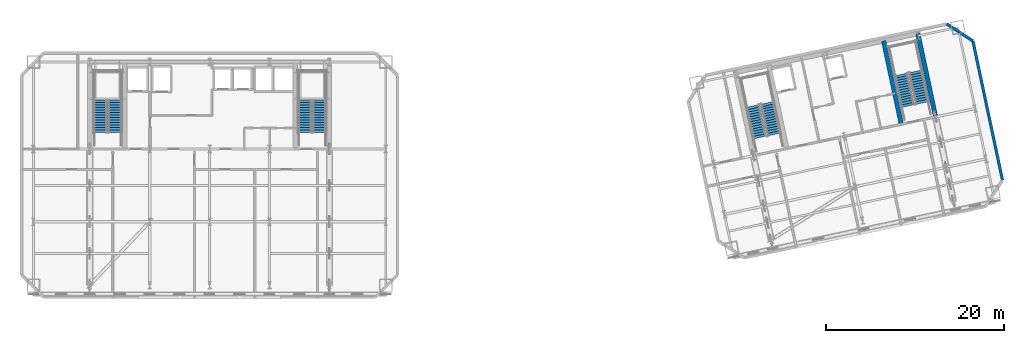
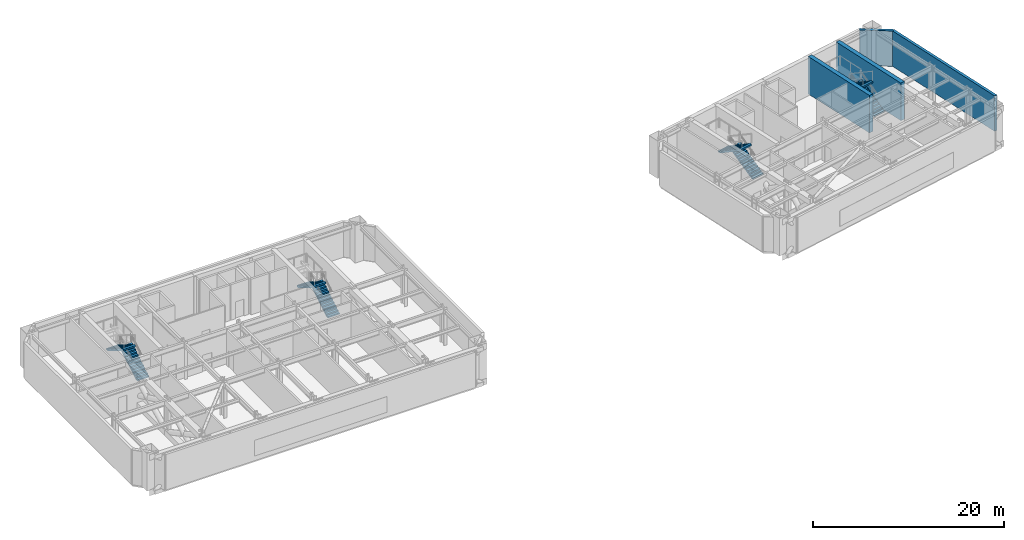
# One storey, part 11 of 15: 8 stair flights, 4 walls, 4 elements without a shape of their own.
"""IFC4 building model written with IfcOpenShell, lengths in metres."""

import ifcopenshell
import ifcopenshell.guid

model = None  # the IFC model being written
_history = None  # IfcOwnerHistory: only IFC2X3 demands one
_inside = {}  # id of a spatial element -> (the spatial element, [elements in it])
_under = {}  # id of a project, library or spatial element -> (it, [spatial elements below it])
_declared = {}  # id of a project -> (the project, [libraries it declares])
_typed = {}  # id of a type object -> (the type object, [elements of that type])
_made_of = {}  # id of a material, layer set ... -> (it, [elements and type objects made of it])


def new_model(schema):
    """Start an empty IFC model of exactly this schema.

    Asked for "IFC4X3", IfcOpenShell would pick the latest addendum, in which some entities
    have other attributes; the version numbers below select the first issue.
    IFC2X3 requires an IfcOwnerHistory on every rooted entity: one is made here for all.
    """
    global model, _history
    if schema == "IFC4X3":
        model = ifcopenshell.file(schema_version=(4, 3, 0, 0))
    else:
        model = ifcopenshell.file(schema=schema)
    _inside.clear()
    _under.clear()
    _declared.clear()
    _typed.clear()
    _made_of.clear()
    _history = None
    if model.schema == "IFC2X3":
        org = make("IfcOrganization", Name="unknown")
        user = make(
            "IfcPersonAndOrganization",
            ThePerson=make("IfcPerson", FamilyName="unknown"),
            TheOrganization=org,
        )
        app = make(
            "IfcApplication",
            ApplicationDeveloper=org,
            Version="unknown",
            ApplicationFullName="unknown",
            ApplicationIdentifier="unknown",
        )
        _history = make(
            "IfcOwnerHistory",
            OwningUser=user,
            OwningApplication=app,
            ChangeAction="ADDED",
            CreationDate=0,
        )
    return model


def make(cls, **values):
    """One entity of the class cls with the attributes given. An attribute that is None is left unset."""
    return model.create_entity(
        cls, **{name: value for name, value in values.items() if value is not None}
    )


def rooted(cls, **values):
    """An entity with a GlobalId (a new one), such as an element, a storey or a relation."""
    return make(cls, GlobalId=ifcopenshell.guid.new(), OwnerHistory=_history, **values)


def si_unit(unit_type, name, prefix=None):
    """IfcSIUnit, for example si_unit("LENGTHUNIT", "METRE", prefix="MILLI")."""
    return make("IfcSIUnit", UnitType=unit_type, Prefix=prefix, Name=name)


def assignment(units):
    """IfcUnitAssignment: the units of a project."""
    return None if units is None else make("IfcUnitAssignment", Units=units)


def point(xyz):
    """IfcCartesianPoint."""
    return None if xyz is None else make("IfcCartesianPoint", Coordinates=xyz)


def direction(xyz):
    """IfcDirection."""
    return None if xyz is None else make("IfcDirection", DirectionRatios=xyz)


def frame(location, z_axis=None, x_axis=None):
    """IfcAxis2Placement3D, a coordinate frame: its origin and axes. An axis left out is left unset."""
    return make(
        "IfcAxis2Placement3D",
        Location=point(location),
        Axis=direction(z_axis),
        RefDirection=direction(x_axis),
    )


def frame_2d(location, x_axis=None):
    """IfcAxis2Placement2D, a coordinate frame in the plane: its origin and x axis."""
    return make(
        "IfcAxis2Placement2D", Location=point(location), RefDirection=direction(x_axis)
    )


def origin():
    """The frame at (0, 0, 0) with its axes left unset."""
    return frame((0.0, 0.0, 0.0))


def place(relative_to, where):
    """IfcLocalPlacement: puts the frame where relative to a parent placement (None: the world)."""
    return make(
        "IfcLocalPlacement", PlacementRelTo=relative_to, RelativePlacement=where
    )


def context(
    kind, dimensions, precision=None, world=None, true_north=None, identifier=None
):
    """IfcGeometricRepresentationContext, for example the 3D "Model" context."""
    return make(
        "IfcGeometricRepresentationContext",
        ContextIdentifier=identifier,
        ContextType=kind,
        CoordinateSpaceDimension=dimensions,
        Precision=precision,
        WorldCoordinateSystem=world,
        TrueNorth=true_north,
    )


def subcontext(parent, identifier, kind, view, scale=None):
    """IfcGeometricRepresentationSubContext, for example "Body" below "Model"."""
    return make(
        "IfcGeometricRepresentationSubContext",
        ContextIdentifier=identifier,
        ContextType=kind,
        ParentContext=parent,
        TargetScale=scale,
        TargetView=view,
    )


def project(units=None, contexts=None):
    """IfcProject with its units and contexts."""
    return rooted(
        "IfcProject",
        Name="project",
        RepresentationContexts=contexts,
        UnitsInContext=assignment(units),
    )


def spatial(cls, under=None, at=None, **own):
    """A site, building, storey or space (cls), placed at a placement, below another one or the project."""
    s = rooted(cls, ObjectPlacement=at, **own)
    if under is not None:
        _under.setdefault(under.id(), (under, []))[1].append(s)
    return s


def polyline(points):
    """IfcPolyline through the points."""
    return make("IfcPolyline", Points=[point(p) for p in points])


def profile(cls, at=None, kind="AREA", **sizes):
    """A parametric profile (cls). Its sizes go by their IFC names, for example OverallWidth=200.0."""
    return make(cls, ProfileType=kind, Position=at, **sizes)


def rectangle(**sizes):
    """IfcRectangleProfileDef."""
    return profile("IfcRectangleProfileDef", **sizes)


def outline(outer, holes=None, kind="AREA"):
    """IfcArbitraryClosedProfileDef: a profile drawn as a closed curve; with holes, ...WithVoids."""
    if holes is None:
        return make("IfcArbitraryClosedProfileDef", ProfileType=kind, OuterCurve=outer)
    return make(
        "IfcArbitraryProfileDefWithVoids",
        ProfileType=kind,
        OuterCurve=outer,
        InnerCurves=holes,
    )


def extrude(swept, where, along, depth):
    """IfcExtrudedAreaSolid: the profile swept, set in the frame where, extruded along a direction by depth."""
    return make(
        "IfcExtrudedAreaSolid",
        SweptArea=swept,
        Position=where,
        ExtrudedDirection=direction(along),
        Depth=depth,
    )


def shape(context_of_items, identifier, shape_type, items):
    """IfcShapeRepresentation: the items that make up one representation, for example the "Body"."""
    return make(
        "IfcShapeRepresentation",
        ContextOfItems=context_of_items,
        RepresentationIdentifier=identifier,
        RepresentationType=shape_type,
        Items=items,
    )


def material(Name=None, Category=None):
    """IfcMaterial."""
    return make("IfcMaterial", Name=Name, Category=Category)


def layer(
    of_material, thickness, ventilated=None, Name=None, Category=None, Priority=None
):
    """IfcMaterialLayer: one layer of a wall or slab, of a material (None: an air gap)."""
    return make(
        "IfcMaterialLayer",
        Material=of_material,
        LayerThickness=thickness,
        IsVentilated=ventilated,
        Name=Name,
        Category=Category,
        Priority=Priority,
    )


def layer_set(layers, Name=None):
    """IfcMaterialLayerSet."""
    return make("IfcMaterialLayerSet", MaterialLayers=layers, LayerSetName=Name)


def made_of(thing, what):
    """Note that an element or type object is made of a material, layer set ...; save() writes the relation."""
    if what is not None:
        _made_of.setdefault(what.id(), (what, []))[1].append(thing)
    return thing


def type_object(cls, material=None, **own):
    """A type object (cls), such as IfcWallType, which elements share."""
    return made_of(rooted(cls, **own), material)


def element(
    cls,
    number,
    at=None,
    inside=None,
    cuts=None,
    type_object=None,
    material=None,
    context=None,
    identifier="Body",
    shape_type=None,
    held_by="IfcProductDefinitionShape",
    body=None,
    shapes=None,
    **own,
):
    """One element of the class cls, such as IfcWall. Its Tag is "e" and its number.

    at: its placement. inside: the storey or other place that contains it. cuts: it is an
    opening in that element (IfcRelVoidsElement). A single representation is given by context,
    identifier, shape_type and body (its items); several are given by shapes. held_by: the class
    of the entity that holds the representations. save() writes the other relations.
    """
    e = rooted(cls, Tag="e%d" % number, ObjectPlacement=at, **own)
    if body is not None:
        shapes = [shape(context, identifier, shape_type, body)]
    if shapes is not None:
        e.Representation = make(held_by, Representations=shapes)
    if inside is not None:
        _inside.setdefault(inside.id(), (inside, []))[1].append(e)
    if cuts is not None:
        rooted(
            "IfcRelVoidsElement", RelatingBuildingElement=cuts, RelatedOpeningElement=e
        )
    if type_object is not None:
        _typed.setdefault(type_object.id(), (type_object, []))[1].append(e)
    return made_of(e, material)


def aggregate(whole, parts):
    """IfcRelAggregates: a whole, such as a stair, and the parts it consists of."""
    return rooted("IfcRelAggregates", RelatingObject=whole, RelatedObjects=parts)


def save(model, path):
    """Write the relations noted so far, then the file.

    IfcRelAggregates (storeys below a building ...), IfcRelContainedInSpatialStructure (elements
    in a storey), IfcRelDefinesByType, IfcRelAssociatesMaterial and IfcRelDeclares: one each for
    every whole, place, type object, material and project.
    """
    for whole, parts in _under.values():
        aggregate(whole, parts)
    for where, things in _inside.values():
        rooted(
            "IfcRelContainedInSpatialStructure",
            RelatedElements=things,
            RelatingStructure=where,
        )
    for kind, things in _typed.values():
        rooted("IfcRelDefinesByType", RelatedObjects=things, RelatingType=kind)
    for what, things in _made_of.values():
        rooted("IfcRelAssociatesMaterial", RelatedObjects=things, RelatingMaterial=what)
    for by, libraries in _declared.values():
        rooted("IfcRelDeclares", RelatingContext=by, RelatedDefinitions=libraries)
    model.write(path)


model = new_model("IFC4")

# Units and contexts
model_context = context("Model", 3, precision=1e-05, world=origin(), true_north=direction((0.0, 1.0)))
body_context = subcontext(model_context, "Body", "Model", "MODEL_VIEW")
ifc_project = project(units=[si_unit("LENGTHUNIT", "METRE"), si_unit("AREAUNIT", "SQUARE_METRE"), si_unit("VOLUMEUNIT", "CUBIC_METRE"), si_unit("PLANEANGLEUNIT", "RADIAN"), si_unit("MASSUNIT", "GRAM", prefix="KILO")], contexts=[model_context])

# Site, building, storey
site_placement = place(None, origin())
site = spatial("IfcSite", under=ifc_project, at=site_placement, CompositionType="ELEMENT")
building_placement = place(site_placement, origin())
building = spatial("IfcBuilding", under=site, at=building_placement, Name="Haevon Station Towers", CompositionType="ELEMENT")
storey_placement = place(building_placement, frame((0.0, 0.0, 138.0)))
storey = spatial("IfcBuildingStorey", under=building, at=storey_placement, Name="L37", CompositionType="ELEMENT", Elevation=138.0)

# Walls
ifc_material_1 = material(Name="Concrete C60/75", Category="concrete")
ifc_layer_1 = layer(ifc_material_1, 0.5)
ifc_layer_set_1 = layer_set([ifc_layer_1], Name="Concrete C60/75")
wall_type_1 = type_object("IfcWallType", Name="WL-CR500", PredefinedType="SHEAR", material=ifc_layer_set_1)
wall_1_placement = place(storey_placement, frame((119.401611328125, 41.2998046875, 0.0), z_axis=(0.0, 0.0, 1.0), x_axis=(-0.207904342798, 0.978149162575, 0.0)))
element("IfcWall", 1, at=wall_1_placement, inside=storey, type_object=wall_type_1, Name="WL-T2CR-L37-E", PredefinedType="SHEAR", context=body_context, shape_type="SweptSolid", body=[
    extrude(rectangle(XDim=10.1201171875, YDim=0.5, at=frame_2d((5.06005859375, 0.0))), origin(), (0.0, 0.0, 1.0), 4.800048828125),
])
wall_2_placement = place(storey_placement, frame((115.4296875, 40.9873046875, 0.0), z_axis=(0.0, 0.0, 1.0), x_axis=(-0.207903162969, 0.978149413345, 0.0)))
element("IfcWall", 2, at=wall_2_placement, inside=storey, type_object=wall_type_1, Name="WL-T2CR-L37-M2", PredefinedType="SHEAR", context=body_context, shape_type="SweptSolid", body=[
    extrude(rectangle(XDim=9.599853515625, YDim=0.5, at=frame_2d((4.7998046875, 0.0))), origin(), (0.0, 0.0, 1.0), 4.800048828125),
])
ifc_material_2 = material(Name="Precast concrete C45/55", Category="concrete")
ifc_layer_2 = layer(ifc_material_2, 0.320068359375)
ifc_layer_set_2 = layer_set([ifc_layer_2], Name="Precast concrete C45/55")
wall_type_2 = type_object("IfcWallType", Name="WL-EXT-PIER320", PredefinedType="SOLIDWALL", material=ifc_layer_set_2)
wall_3_placement = place(storey_placement, frame((120.5400390625, 52.296875, 0.0), z_axis=(0.0, 0.0, 1.0), x_axis=(0.838672309694, -0.544636352948, 0.0)))
element("IfcWall", 3, at=wall_3_placement, inside=storey, type_object=wall_type_2, Name="WL-T2-L37-NEC", PredefinedType="SOLIDWALL", context=body_context, shape_type="SweptSolid", body=[
    extrude(rectangle(XDim=3.535400390625, YDim=0.320068359375, at=frame_2d((1.767578125, 0.0))), origin(), (0.0, 0.0, 1.0), 4.530029296875),
])
wall_4_placement = place(storey_placement, frame((123.505126953125, 50.371337890625, 0.0), z_axis=(0.0, 0.0, 1.0), x_axis=(0.207922793235, -0.978145240776, 0.0)))
element("IfcWall", 4, at=wall_4_placement, inside=storey, type_object=wall_type_2, Name="WL-T2-L37-E", PredefinedType="SOLIDWALL", context=body_context, shape_type="SweptSolid", body=[
    extrude(rectangle(XDim=16.050048828125, YDim=0.320068359375, at=frame_2d((8.02490234375, 0.0))), origin(), (0.0, 0.0, 1.0), 4.530029296875),
])

# Stair, stair flights
ifc_material_3 = material(Name="Concrete C40/50", Category="concrete")
stair_type = type_object("IfcStairType", Name="STR-DL1450", PredefinedType="USERDEFINED", material=ifc_material_3)
stair_1_placement = place(storey_placement, origin())
stair_1 = element("IfcStair", 5, at=stair_1_placement, inside=storey, type_object=stair_type, Name="L37 Escape Stair ST1", ObjectType="TWO_RETURN_STAIR", PredefinedType="USERDEFINED")
stair_flight_type = type_object("IfcStairFlightType", Name="STF-ST1450", PredefinedType="STRAIGHT", material=ifc_material_3)
stair_flight_1_placement = place(storey_placement, frame((26.85498046875, 40.050048828125, 0.0), z_axis=(0.0, 0.0, 1.0), x_axis=(0.0, 1.0, 0.0)))
stair_flight_1 = element("IfcStairFlight", 6, at=stair_flight_1_placement, type_object=stair_flight_type, Name="L37 ST1 Flight 1", NumberOfRisers=14, NumberOfTreads=13, PredefinedType="STRAIGHT", RiserHeight=0.171428571, TreadLength=0.28, context=body_context, shape_type="SweptSolid", body=[
    extrude(outline(polyline([(0.0, 0.0), (0.0, 0.17138671875), (0.280029296875, 0.17138671875), (0.280029296875, 0.3427734375), (0.56005859375, 0.3427734375), (0.56005859375, 0.514404296875), (0.840087890625, 0.514404296875), (0.840087890625, 0.685791015625), (1.1201171875, 0.685791015625), (1.1201171875, 0.857177734375), (1.39990234375, 0.857177734375), (1.39990234375, 1.028564453125), (1.679931640625, 1.028564453125), (1.679931640625, 1.199951171875), (1.9599609375, 1.199951171875), (1.9599609375, 1.371337890625), (2.239990234375, 1.371337890625), (2.239990234375, 1.54296875), (2.52001953125, 1.54296875), (2.52001953125, 1.71435546875), (2.800048828125, 1.71435546875), (2.800048828125, 1.8857421875), (3.080078125, 1.8857421875), (3.080078125, 2.05712890625), (3.360107421875, 2.05712890625), (3.360107421875, 2.228515625), (3.639892578125, 2.228515625), (3.639892578125, 2.39990234375), (3.639892578125, 2.041015625), (0.30615234375, 0.0), (0.0, 0.0)])), frame((0.0, 0.72509765625, 0.0), z_axis=(0.0, -1.0, 0.0), x_axis=(1.0, 0.0, 0.0)), (0.0, 0.0, 1.0), 1.449951171875),
])
stair_flight_2_placement = place(storey_placement, frame((25.205078125, 43.68994140625, 2.39990234375), z_axis=(0.0, 0.0, 1.0), x_axis=(0.0, -1.0, 0.0)))
stair_flight_2 = element("IfcStairFlight", 7, at=stair_flight_2_placement, type_object=stair_flight_type, Name="L37 ST1 Flight 2", NumberOfRisers=14, NumberOfTreads=13, PredefinedType="STRAIGHT", RiserHeight=0.171428571, TreadLength=0.28, context=body_context, shape_type="SweptSolid", body=[
    extrude(outline(polyline([(0.0, 0.0), (0.0, 0.17138671875), (0.280029296875, 0.17138671875), (0.280029296875, 0.3427734375), (0.56005859375, 0.3427734375), (0.56005859375, 0.514404296875), (0.840087890625, 0.514404296875), (0.840087890625, 0.685791015625), (1.1201171875, 0.685791015625), (1.1201171875, 0.857177734375), (1.39990234375, 0.857177734375), (1.39990234375, 1.028564453125), (1.679931640625, 1.028564453125), (1.679931640625, 1.199951171875), (1.9599609375, 1.199951171875), (1.9599609375, 1.371337890625), (2.239990234375, 1.371337890625), (2.239990234375, 1.54296875), (2.52001953125, 1.54296875), (2.52001953125, 1.71435546875), (2.800048828125, 1.71435546875), (2.800048828125, 1.8857421875), (3.080078125, 1.8857421875), (3.080078125, 2.05712890625), (3.360107421875, 2.05712890625), (3.360107421875, 2.228515625), (3.639892578125, 2.228515625), (3.639892578125, 2.39990234375), (3.639892578125, 2.041015625), (0.30615234375, 0.0), (0.0, 0.0)])), frame((0.0, 0.72509765625, 0.0), z_axis=(0.0, -1.0, 0.0), x_axis=(1.0, 0.0, 0.0)), (0.0, 0.0, 1.0), 1.449951171875),
])
aggregate(stair_1, [stair_flight_1, stair_flight_2])

stair_2_placement = place(storey_placement, origin())
stair_2 = element("IfcStair", 8, at=stair_2_placement, inside=storey, type_object=stair_type, Name="L37 Escape Stair ST2", ObjectType="TWO_RETURN_STAIR", PredefinedType="USERDEFINED")
stair_flight_3_placement = place(storey_placement, frame((49.89501953125, 40.050048828125, 0.0), z_axis=(0.0, 0.0, 1.0), x_axis=(0.0, 1.0, 0.0)))
stair_flight_3 = element("IfcStairFlight", 9, at=stair_flight_3_placement, type_object=stair_flight_type, Name="L37 ST2 Flight 1", NumberOfRisers=14, NumberOfTreads=13, PredefinedType="STRAIGHT", RiserHeight=0.171428571, TreadLength=0.28, context=body_context, shape_type="SweptSolid", body=[
    extrude(outline(polyline([(0.0, 0.0), (0.0, 0.17138671875), (0.280029296875, 0.17138671875), (0.280029296875, 0.3427734375), (0.56005859375, 0.3427734375), (0.56005859375, 0.514404296875), (0.840087890625, 0.514404296875), (0.840087890625, 0.685791015625), (1.1201171875, 0.685791015625), (1.1201171875, 0.857177734375), (1.39990234375, 0.857177734375), (1.39990234375, 1.028564453125), (1.679931640625, 1.028564453125), (1.679931640625, 1.199951171875), (1.9599609375, 1.199951171875), (1.9599609375, 1.371337890625), (2.239990234375, 1.371337890625), (2.239990234375, 1.54296875), (2.52001953125, 1.54296875), (2.52001953125, 1.71435546875), (2.800048828125, 1.71435546875), (2.800048828125, 1.8857421875), (3.080078125, 1.8857421875), (3.080078125, 2.05712890625), (3.360107421875, 2.05712890625), (3.360107421875, 2.228515625), (3.639892578125, 2.228515625), (3.639892578125, 2.39990234375), (3.639892578125, 2.041015625), (0.30615234375, 0.0), (0.0, 0.0)])), frame((0.0, 0.72509765625, 0.0), z_axis=(0.0, -1.0, 0.0), x_axis=(1.0, 0.0, 0.0)), (0.0, 0.0, 1.0), 1.449951171875),
])
stair_flight_4_placement = place(storey_placement, frame((48.2451171875, 43.68994140625, 2.39990234375), z_axis=(0.0, 0.0, 1.0), x_axis=(0.0, -1.0, 0.0)))
stair_flight_4 = element("IfcStairFlight", 10, at=stair_flight_4_placement, type_object=stair_flight_type, Name="L37 ST2 Flight 2", NumberOfRisers=14, NumberOfTreads=13, PredefinedType="STRAIGHT", RiserHeight=0.171428571, TreadLength=0.28, context=body_context, shape_type="SweptSolid", body=[
    extrude(outline(polyline([(0.0, 0.0), (0.0, 0.17138671875), (0.280029296875, 0.17138671875), (0.280029296875, 0.3427734375), (0.56005859375, 0.3427734375), (0.56005859375, 0.514404296875), (0.840087890625, 0.514404296875), (0.840087890625, 0.685791015625), (1.1201171875, 0.685791015625), (1.1201171875, 0.857177734375), (1.39990234375, 0.857177734375), (1.39990234375, 1.028564453125), (1.679931640625, 1.028564453125), (1.679931640625, 1.199951171875), (1.9599609375, 1.199951171875), (1.9599609375, 1.371337890625), (2.239990234375, 1.371337890625), (2.239990234375, 1.54296875), (2.52001953125, 1.54296875), (2.52001953125, 1.71435546875), (2.800048828125, 1.71435546875), (2.800048828125, 1.8857421875), (3.080078125, 1.8857421875), (3.080078125, 2.05712890625), (3.360107421875, 2.05712890625), (3.360107421875, 2.228515625), (3.639892578125, 2.228515625), (3.639892578125, 2.39990234375), (3.639892578125, 2.041015625), (0.30615234375, 0.0), (0.0, 0.0)])), frame((0.0, 0.72509765625, 0.0), z_axis=(0.0, -1.0, 0.0), x_axis=(1.0, 0.0, 0.0)), (0.0, 0.0, 1.0), 1.449951171875),
])
aggregate(stair_2, [stair_flight_3, stair_flight_4])

stair_3_placement = place(storey_placement, origin())
stair_3 = element("IfcStair", 11, at=stair_3_placement, inside=storey, type_object=stair_type, Name="L37 Escape Stair ST3", ObjectType="TWO_RETURN_STAIR", PredefinedType="USERDEFINED")
stair_flight_5_placement = place(storey_placement, frame((101.1015625, 39.8330078125, 0.0), z_axis=(0.0, 0.0, 1.0), x_axis=(-0.207911690818, 0.978147600734, 0.0)))
stair_flight_5 = element("IfcStairFlight", 12, at=stair_flight_5_placement, type_object=stair_flight_type, Name="L37 ST3 Flight 1", NumberOfRisers=14, NumberOfTreads=13, PredefinedType="STRAIGHT", RiserHeight=0.171428571, TreadLength=0.28, context=body_context, shape_type="SweptSolid", body=[
    extrude(outline(polyline([(0.0, 0.0), (0.0, 0.17138671875), (0.280029296875, 0.17138671875), (0.280029296875, 0.3427734375), (0.56005859375, 0.3427734375), (0.56005859375, 0.514404296875), (0.840087890625, 0.514404296875), (0.840087890625, 0.685791015625), (1.1201171875, 0.685791015625), (1.1201171875, 0.857177734375), (1.39990234375, 0.857177734375), (1.39990234375, 1.028564453125), (1.679931640625, 1.028564453125), (1.679931640625, 1.199951171875), (1.9599609375, 1.199951171875), (1.9599609375, 1.371337890625), (2.239990234375, 1.371337890625), (2.239990234375, 1.54296875), (2.52001953125, 1.54296875), (2.52001953125, 1.71435546875), (2.800048828125, 1.71435546875), (2.800048828125, 1.8857421875), (3.080078125, 1.8857421875), (3.080078125, 2.05712890625), (3.360107421875, 2.05712890625), (3.360107421875, 2.228515625), (3.639892578125, 2.228515625), (3.639892578125, 2.39990234375), (3.639892578125, 2.041015625), (0.30615234375, 0.0), (0.0, 0.0)])), frame((0.0, 0.72509765625, 0.0), z_axis=(0.0, -1.0, 0.0), x_axis=(1.0, 0.0, 0.0)), (0.0, 0.0, 1.0), 1.449951171875),
])
stair_flight_6_placement = place(storey_placement, frame((98.73095703125, 43.050537109375, 2.39990234375), z_axis=(0.0, 0.0, 1.0), x_axis=(0.207911690818, -0.978147600734, 0.0)))
stair_flight_6 = element("IfcStairFlight", 13, at=stair_flight_6_placement, type_object=stair_flight_type, Name="L37 ST3 Flight 2", NumberOfRisers=14, NumberOfTreads=13, PredefinedType="STRAIGHT", RiserHeight=0.171428571, TreadLength=0.28, context=body_context, shape_type="SweptSolid", body=[
    extrude(outline(polyline([(0.0, 0.0), (0.0, 0.17138671875), (0.280029296875, 0.17138671875), (0.280029296875, 0.3427734375), (0.56005859375, 0.3427734375), (0.56005859375, 0.514404296875), (0.840087890625, 0.514404296875), (0.840087890625, 0.685791015625), (1.1201171875, 0.685791015625), (1.1201171875, 0.857177734375), (1.39990234375, 0.857177734375), (1.39990234375, 1.028564453125), (1.679931640625, 1.028564453125), (1.679931640625, 1.199951171875), (1.9599609375, 1.199951171875), (1.9599609375, 1.371337890625), (2.239990234375, 1.371337890625), (2.239990234375, 1.54296875), (2.52001953125, 1.54296875), (2.52001953125, 1.71435546875), (2.800048828125, 1.71435546875), (2.800048828125, 1.8857421875), (3.080078125, 1.8857421875), (3.080078125, 2.05712890625), (3.360107421875, 2.05712890625), (3.360107421875, 2.228515625), (3.639892578125, 2.228515625), (3.639892578125, 2.39990234375), (3.639892578125, 2.041015625), (0.30615234375, 0.0), (0.0, 0.0)])), frame((0.0, 0.72509765625, 0.0), z_axis=(0.0, -1.0, 0.0), x_axis=(1.0, 0.0, 0.0)), (0.0, 0.0, 1.0), 1.449951171875),
])
aggregate(stair_3, [stair_flight_5, stair_flight_6])

stair_4_placement = place(storey_placement, origin())
stair_4 = element("IfcStair", 14, at=stair_4_placement, inside=storey, type_object=stair_type, Name="L37 Escape Stair ST4", ObjectType="TWO_RETURN_STAIR", PredefinedType="USERDEFINED")
stair_flight_7_placement = place(storey_placement, frame((117.788818359375, 43.380126953125, 0.0), z_axis=(0.0, 0.0, 1.0), x_axis=(-0.207911690818, 0.978147600734, 0.0)))
stair_flight_7 = element("IfcStairFlight", 15, at=stair_flight_7_placement, type_object=stair_flight_type, Name="L37 ST4 Flight 1", NumberOfRisers=14, NumberOfTreads=13, PredefinedType="STRAIGHT", RiserHeight=0.171428571, TreadLength=0.28, context=body_context, shape_type="SweptSolid", body=[
    extrude(outline(polyline([(0.0, 0.0), (0.0, 0.17138671875), (0.280029296875, 0.17138671875), (0.280029296875, 0.3427734375), (0.56005859375, 0.3427734375), (0.56005859375, 0.514404296875), (0.840087890625, 0.514404296875), (0.840087890625, 0.685791015625), (1.1201171875, 0.685791015625), (1.1201171875, 0.857177734375), (1.39990234375, 0.857177734375), (1.39990234375, 1.028564453125), (1.679931640625, 1.028564453125), (1.679931640625, 1.199951171875), (1.9599609375, 1.199951171875), (1.9599609375, 1.371337890625), (2.239990234375, 1.371337890625), (2.239990234375, 1.54296875), (2.52001953125, 1.54296875), (2.52001953125, 1.71435546875), (2.800048828125, 1.71435546875), (2.800048828125, 1.8857421875), (3.080078125, 1.8857421875), (3.080078125, 2.05712890625), (3.360107421875, 2.05712890625), (3.360107421875, 2.228515625), (3.639892578125, 2.228515625), (3.639892578125, 2.39990234375), (3.639892578125, 2.041015625), (0.30615234375, 0.0), (0.0, 0.0)])), frame((0.0, 0.72509765625, 0.0), z_axis=(0.0, -1.0, 0.0), x_axis=(1.0, 0.0, 0.0)), (0.0, 0.0, 1.0), 1.449951171875),
])
stair_flight_8_placement = place(storey_placement, frame((115.418212890625, 46.597412109375, 2.39990234375), z_axis=(0.0, 0.0, 1.0), x_axis=(0.207911690818, -0.978147600734, 0.0)))
stair_flight_8 = element("IfcStairFlight", 16, at=stair_flight_8_placement, type_object=stair_flight_type, Name="L37 ST4 Flight 2", NumberOfRisers=14, NumberOfTreads=13, PredefinedType="STRAIGHT", RiserHeight=0.171428571, TreadLength=0.28, context=body_context, shape_type="SweptSolid", body=[
    extrude(outline(polyline([(0.0, 0.0), (0.0, 0.17138671875), (0.280029296875, 0.17138671875), (0.280029296875, 0.3427734375), (0.56005859375, 0.3427734375), (0.56005859375, 0.514404296875), (0.840087890625, 0.514404296875), (0.840087890625, 0.685791015625), (1.1201171875, 0.685791015625), (1.1201171875, 0.857177734375), (1.39990234375, 0.857177734375), (1.39990234375, 1.028564453125), (1.679931640625, 1.028564453125), (1.679931640625, 1.199951171875), (1.9599609375, 1.199951171875), (1.9599609375, 1.371337890625), (2.239990234375, 1.371337890625), (2.239990234375, 1.54296875), (2.52001953125, 1.54296875), (2.52001953125, 1.71435546875), (2.800048828125, 1.71435546875), (2.800048828125, 1.8857421875), (3.080078125, 1.8857421875), (3.080078125, 2.05712890625), (3.360107421875, 2.05712890625), (3.360107421875, 2.228515625), (3.639892578125, 2.228515625), (3.639892578125, 2.39990234375), (3.639892578125, 2.041015625), (0.30615234375, 0.0), (0.0, 0.0)])), frame((0.0, 0.72509765625, 0.0), z_axis=(0.0, -1.0, 0.0), x_axis=(1.0, 0.0, 0.0)), (0.0, 0.0, 1.0), 1.449951171875),
])
aggregate(stair_4, [stair_flight_7, stair_flight_8])

save(model, "model.ifc")
